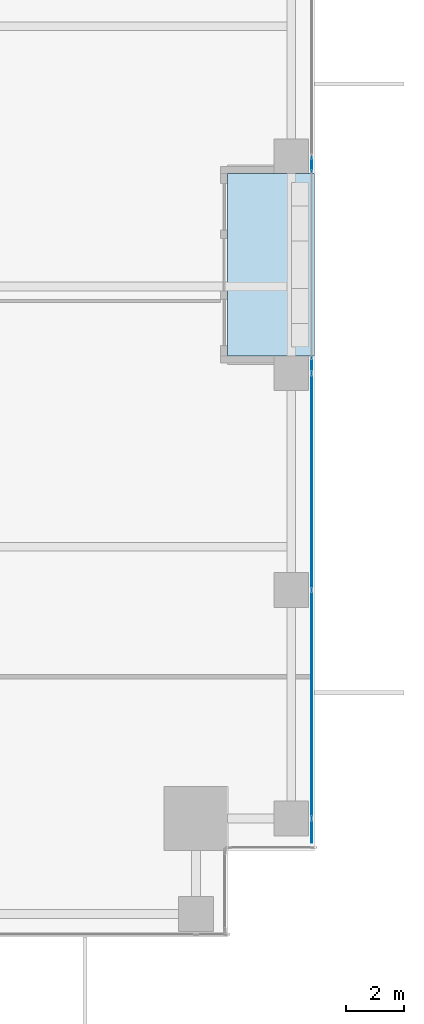
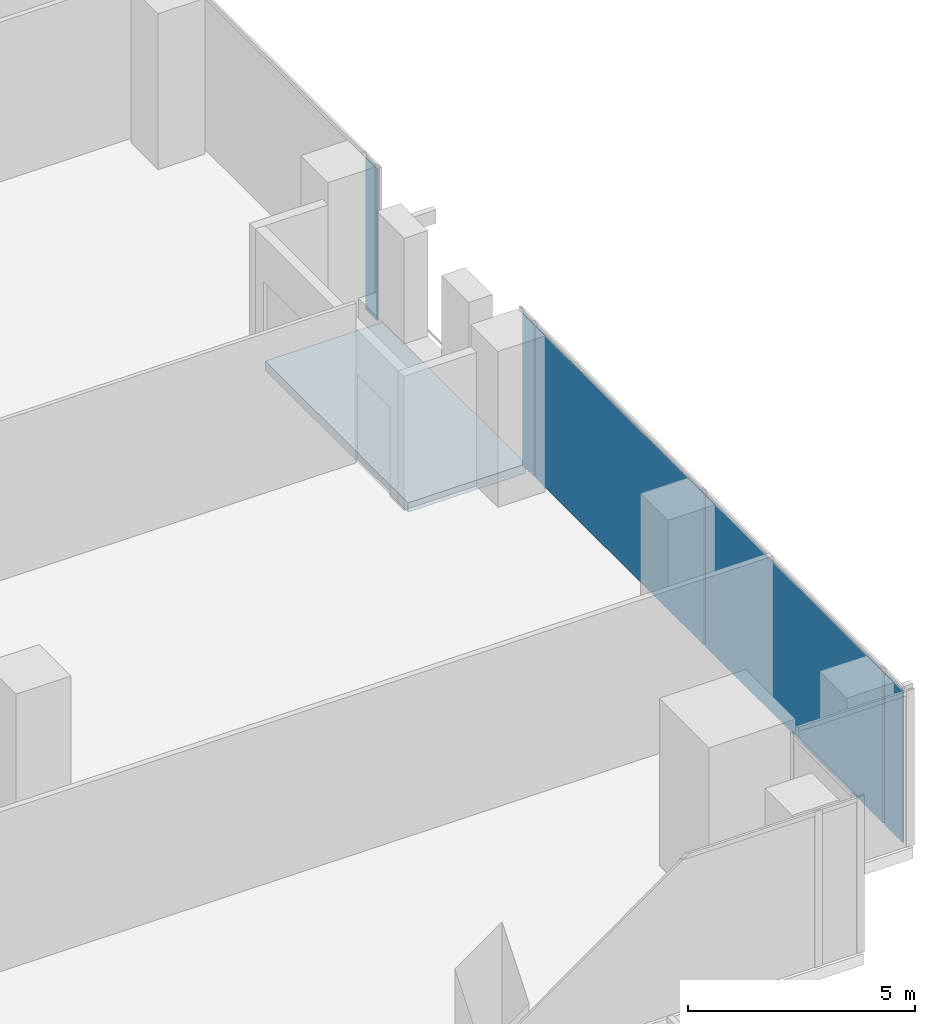
# One storey, part 24 of 33: 5 plates, 1 slab, 2 elements without a shape of their own.
"""IFC4 building model written with IfcOpenShell, lengths in metres."""

import ifcopenshell
import ifcopenshell.guid

model = None  # the IFC model being written
_history = None  # IfcOwnerHistory: only IFC2X3 demands one
_inside = {}  # id of a spatial element -> (the spatial element, [elements in it])
_under = {}  # id of a project, library or spatial element -> (it, [spatial elements below it])
_declared = {}  # id of a project -> (the project, [libraries it declares])
_typed = {}  # id of a type object -> (the type object, [elements of that type])
_made_of = {}  # id of a material, layer set ... -> (it, [elements and type objects made of it])


def new_model(schema):
    """Start an empty IFC model of exactly this schema.

    Asked for "IFC4X3", IfcOpenShell would pick the latest addendum, in which some entities
    have other attributes; the version numbers below select the first issue.
    IFC2X3 requires an IfcOwnerHistory on every rooted entity: one is made here for all.
    """
    global model, _history
    if schema == "IFC4X3":
        model = ifcopenshell.file(schema_version=(4, 3, 0, 0))
    else:
        model = ifcopenshell.file(schema=schema)
    _inside.clear()
    _under.clear()
    _declared.clear()
    _typed.clear()
    _made_of.clear()
    _history = None
    if model.schema == "IFC2X3":
        org = make("IfcOrganization", Name="unknown")
        user = make(
            "IfcPersonAndOrganization",
            ThePerson=make("IfcPerson", FamilyName="unknown"),
            TheOrganization=org,
        )
        app = make(
            "IfcApplication",
            ApplicationDeveloper=org,
            Version="unknown",
            ApplicationFullName="unknown",
            ApplicationIdentifier="unknown",
        )
        _history = make(
            "IfcOwnerHistory",
            OwningUser=user,
            OwningApplication=app,
            ChangeAction="ADDED",
            CreationDate=0,
        )
    return model


def make(cls, **values):
    """One entity of the class cls with the attributes given. An attribute that is None is left unset."""
    return model.create_entity(
        cls, **{name: value for name, value in values.items() if value is not None}
    )


def rooted(cls, **values):
    """An entity with a GlobalId (a new one), such as an element, a storey or a relation."""
    return make(cls, GlobalId=ifcopenshell.guid.new(), OwnerHistory=_history, **values)


def si_unit(unit_type, name, prefix=None):
    """IfcSIUnit, for example si_unit("LENGTHUNIT", "METRE", prefix="MILLI")."""
    return make("IfcSIUnit", UnitType=unit_type, Prefix=prefix, Name=name)


def assignment(units):
    """IfcUnitAssignment: the units of a project."""
    return None if units is None else make("IfcUnitAssignment", Units=units)


def point(xyz):
    """IfcCartesianPoint."""
    return None if xyz is None else make("IfcCartesianPoint", Coordinates=xyz)


def direction(xyz):
    """IfcDirection."""
    return None if xyz is None else make("IfcDirection", DirectionRatios=xyz)


def frame(location, z_axis=None, x_axis=None):
    """IfcAxis2Placement3D, a coordinate frame: its origin and axes. An axis left out is left unset."""
    return make(
        "IfcAxis2Placement3D",
        Location=point(location),
        Axis=direction(z_axis),
        RefDirection=direction(x_axis),
    )


def frame_2d(location, x_axis=None):
    """IfcAxis2Placement2D, a coordinate frame in the plane: its origin and x axis."""
    return make(
        "IfcAxis2Placement2D", Location=point(location), RefDirection=direction(x_axis)
    )


def origin():
    """The frame at (0, 0, 0) with its axes left unset."""
    return frame((0.0, 0.0, 0.0))


def origin_2d():
    """The frame at (0, 0) in the plane with its x axis left unset."""
    return frame_2d((0.0, 0.0))


def place(relative_to, where):
    """IfcLocalPlacement: puts the frame where relative to a parent placement (None: the world)."""
    return make(
        "IfcLocalPlacement", PlacementRelTo=relative_to, RelativePlacement=where
    )


def context(
    kind, dimensions, precision=None, world=None, true_north=None, identifier=None
):
    """IfcGeometricRepresentationContext, for example the 3D "Model" context."""
    return make(
        "IfcGeometricRepresentationContext",
        ContextIdentifier=identifier,
        ContextType=kind,
        CoordinateSpaceDimension=dimensions,
        Precision=precision,
        WorldCoordinateSystem=world,
        TrueNorth=true_north,
    )


def subcontext(parent, identifier, kind, view, scale=None):
    """IfcGeometricRepresentationSubContext, for example "Body" below "Model"."""
    return make(
        "IfcGeometricRepresentationSubContext",
        ContextIdentifier=identifier,
        ContextType=kind,
        ParentContext=parent,
        TargetScale=scale,
        TargetView=view,
    )


def project(units=None, contexts=None):
    """IfcProject with its units and contexts."""
    return rooted(
        "IfcProject",
        Name="project",
        RepresentationContexts=contexts,
        UnitsInContext=assignment(units),
    )


def spatial(cls, under=None, at=None, **own):
    """A site, building, storey or space (cls), placed at a placement, below another one or the project."""
    s = rooted(cls, ObjectPlacement=at, **own)
    if under is not None:
        _under.setdefault(under.id(), (under, []))[1].append(s)
    return s


def polyline(points):
    """IfcPolyline through the points."""
    return make("IfcPolyline", Points=[point(p) for p in points])


def profile(cls, at=None, kind="AREA", **sizes):
    """A parametric profile (cls). Its sizes go by their IFC names, for example OverallWidth=200.0."""
    return make(cls, ProfileType=kind, Position=at, **sizes)


def rectangle(**sizes):
    """IfcRectangleProfileDef."""
    return profile("IfcRectangleProfileDef", **sizes)


def outline(outer, holes=None, kind="AREA"):
    """IfcArbitraryClosedProfileDef: a profile drawn as a closed curve; with holes, ...WithVoids."""
    if holes is None:
        return make("IfcArbitraryClosedProfileDef", ProfileType=kind, OuterCurve=outer)
    return make(
        "IfcArbitraryProfileDefWithVoids",
        ProfileType=kind,
        OuterCurve=outer,
        InnerCurves=holes,
    )


def extrude(swept, where, along, depth):
    """IfcExtrudedAreaSolid: the profile swept, set in the frame where, extruded along a direction by depth."""
    return make(
        "IfcExtrudedAreaSolid",
        SweptArea=swept,
        Position=where,
        ExtrudedDirection=direction(along),
        Depth=depth,
    )


def shape(context_of_items, identifier, shape_type, items):
    """IfcShapeRepresentation: the items that make up one representation, for example the "Body"."""
    return make(
        "IfcShapeRepresentation",
        ContextOfItems=context_of_items,
        RepresentationIdentifier=identifier,
        RepresentationType=shape_type,
        Items=items,
    )


def source(mapping_origin, context_of_items, identifier, shape_type, items):
    """IfcRepresentationMap: a shape defined once, which mapped items show again and again."""
    return make(
        "IfcRepresentationMap",
        MappingOrigin=mapping_origin,
        MappedRepresentation=shape(context_of_items, identifier, shape_type, items),
    )


def transform(
    local_origin,
    x_axis=None,
    y_axis=None,
    z_axis=None,
    scale=None,
    scale2=None,
    scale3=None,
    uniform=True,
):
    """IfcCartesianTransformationOperator3D, or its non-uniform kind. x_axis, y_axis, z_axis: its Axis1, 2, 3."""
    if uniform:
        return make(
            "IfcCartesianTransformationOperator3D",
            Axis1=direction(x_axis),
            Axis2=direction(y_axis),
            LocalOrigin=point(local_origin),
            Scale=scale,
            Axis3=direction(z_axis),
        )
    return make(
        "IfcCartesianTransformationOperator3DnonUniform",
        Axis1=direction(x_axis),
        Axis2=direction(y_axis),
        LocalOrigin=point(local_origin),
        Scale=scale,
        Axis3=direction(z_axis),
        Scale2=scale2,
        Scale3=scale3,
    )


def mapped(mapping_source, mapping_target):
    """IfcMappedItem: shows the shape of a source again, moved by a transform."""
    return make(
        "IfcMappedItem", MappingSource=mapping_source, MappingTarget=mapping_target
    )


def material(Name=None, Category=None):
    """IfcMaterial."""
    return make("IfcMaterial", Name=Name, Category=Category)


def layer(
    of_material, thickness, ventilated=None, Name=None, Category=None, Priority=None
):
    """IfcMaterialLayer: one layer of a wall or slab, of a material (None: an air gap)."""
    return make(
        "IfcMaterialLayer",
        Material=of_material,
        LayerThickness=thickness,
        IsVentilated=ventilated,
        Name=Name,
        Category=Category,
        Priority=Priority,
    )


def layer_set(layers, Name=None):
    """IfcMaterialLayerSet."""
    return make("IfcMaterialLayerSet", MaterialLayers=layers, LayerSetName=Name)


def made_of(thing, what):
    """Note that an element or type object is made of a material, layer set ...; save() writes the relation."""
    if what is not None:
        _made_of.setdefault(what.id(), (what, []))[1].append(thing)
    return thing


def type_object(cls, material=None, **own):
    """A type object (cls), such as IfcWallType, which elements share."""
    return made_of(rooted(cls, **own), material)


def element(
    cls,
    number,
    at=None,
    inside=None,
    cuts=None,
    type_object=None,
    material=None,
    context=None,
    identifier="Body",
    shape_type=None,
    held_by="IfcProductDefinitionShape",
    body=None,
    shapes=None,
    **own,
):
    """One element of the class cls, such as IfcWall. Its Tag is "e" and its number.

    at: its placement. inside: the storey or other place that contains it. cuts: it is an
    opening in that element (IfcRelVoidsElement). A single representation is given by context,
    identifier, shape_type and body (its items); several are given by shapes. held_by: the class
    of the entity that holds the representations. save() writes the other relations.
    """
    e = rooted(cls, Tag="e%d" % number, ObjectPlacement=at, **own)
    if body is not None:
        shapes = [shape(context, identifier, shape_type, body)]
    if shapes is not None:
        e.Representation = make(held_by, Representations=shapes)
    if inside is not None:
        _inside.setdefault(inside.id(), (inside, []))[1].append(e)
    if cuts is not None:
        rooted(
            "IfcRelVoidsElement", RelatingBuildingElement=cuts, RelatedOpeningElement=e
        )
    if type_object is not None:
        _typed.setdefault(type_object.id(), (type_object, []))[1].append(e)
    return made_of(e, material)


def aggregate(whole, parts):
    """IfcRelAggregates: a whole, such as a stair, and the parts it consists of."""
    return rooted("IfcRelAggregates", RelatingObject=whole, RelatedObjects=parts)


def save(model, path):
    """Write the relations noted so far, then the file.

    IfcRelAggregates (storeys below a building ...), IfcRelContainedInSpatialStructure (elements
    in a storey), IfcRelDefinesByType, IfcRelAssociatesMaterial and IfcRelDeclares: one each for
    every whole, place, type object, material and project.
    """
    for whole, parts in _under.values():
        aggregate(whole, parts)
    for where, things in _inside.values():
        rooted(
            "IfcRelContainedInSpatialStructure",
            RelatedElements=things,
            RelatingStructure=where,
        )
    for kind, things in _typed.values():
        rooted("IfcRelDefinesByType", RelatedObjects=things, RelatingType=kind)
    for what, things in _made_of.values():
        rooted("IfcRelAssociatesMaterial", RelatedObjects=things, RelatingMaterial=what)
    for by, libraries in _declared.values():
        rooted("IfcRelDeclares", RelatingContext=by, RelatedDefinitions=libraries)
    model.write(path)


model = new_model("IFC4")

# Units and contexts
model_context = context("Model", 3, precision=1e-05, world=origin(), true_north=direction((0.0, 1.0)))
body_context = subcontext(model_context, "Body", "Model", "MODEL_VIEW")
ifc_project = project(units=[si_unit("LENGTHUNIT", "METRE"), si_unit("AREAUNIT", "SQUARE_METRE"), si_unit("VOLUMEUNIT", "CUBIC_METRE"), si_unit("PLANEANGLEUNIT", "RADIAN"), si_unit("MASSUNIT", "GRAM", prefix="KILO")], contexts=[model_context])

# Site, building, storey
site_placement = place(None, origin())
site = spatial("IfcSite", under=ifc_project, at=site_placement, CompositionType="ELEMENT")
building_placement = place(site_placement, origin())
building = spatial("IfcBuilding", under=site, at=building_placement, Name="Khomas Fold Tower", CompositionType="ELEMENT")
storey_placement = place(building_placement, frame((0.0, 0.0, 82.5)))
storey = spatial("IfcBuildingStorey", under=building, at=storey_placement, Name="L17", CompositionType="ELEMENT", Elevation=82.5)

# Curtain wall, plates
ifc_material_1 = material(Name="Aluminium framed double glazing", Category="aluminium")
curtain_wall_type = type_object("IfcCurtainWallType", Name="SK-Unitised clear-glass wall, growing floors CW1", PredefinedType="NOTDEFINED", material=ifc_material_1)
curtain_wall_1_placement = place(storey_placement, origin())
curtain_wall_1 = element("IfcCurtainWall", 1, at=curtain_wall_1_placement, inside=storey, type_object=curtain_wall_type, Name="CW1 run L17 03-0", PredefinedType="NOTDEFINED")
ifc_material_2 = material(Name="Clear double glazed unit")
ifc_layer_1 = layer(ifc_material_2, 0.031982421875)
ifc_layer_set_1 = layer_set([ifc_layer_1], Name="Clear double glazed unit")
plate_type = type_object("IfcPlateType", Name="SK-Unitised clear-glass wall, growing floors glass panel CW1-P", PredefinedType="CURTAIN_PANEL", material=ifc_layer_set_1)
shared_shape_1 = source(origin(), body_context, "Body", "SweptSolid", [
    extrude(rectangle(XDim=0.81005859375, YDim=0.031982421875, at=origin_2d()), origin(), (0.0, 0.0, 1.0), 4.080078125),
])
plate_1_placement = place(storey_placement, frame((53.89990234375, 3.6650390625, 0.0), z_axis=(0.0, 0.0, 1.0), x_axis=(0.0, 1.0, 0.0)))
plate_1 = element("IfcPlate", 2, at=plate_1_placement, type_object=plate_type, Name="CW1 glass panel 1", PredefinedType="CURTAIN_PANEL", context=body_context, shape_type="MappedRepresentation", body=[
    mapped(shared_shape_1, transform((0.0, 0.0, 0.0))),
])
shared_shape_2 = source(origin(), body_context, "Body", "SweptSolid", [
    extrude(rectangle(XDim=7.840087890625, YDim=0.031982421875, at=origin_2d()), origin(), (0.0, 0.0, 1.0), 4.080078125),
])
plate_2_placement = place(storey_placement, frame((53.89990234375, 8.050048828125, 0.0), z_axis=(0.0, 0.0, 1.0), x_axis=(0.0, 1.0, 0.0)))
plate_2 = element("IfcPlate", 3, at=plate_2_placement, type_object=plate_type, Name="CW1 glass panel 2", PredefinedType="CURTAIN_PANEL", context=body_context, shape_type="MappedRepresentation", body=[
    mapped(shared_shape_2, transform((0.0, 0.0, 0.0))),
])
shared_shape_3 = source(origin(), body_context, "Body", "SweptSolid", [
    extrude(rectangle(XDim=7.43994140625, YDim=0.031982421875, at=origin_2d()), origin(), (0.0, 0.0, 1.0), 4.080078125),
])
plate_3_placement = place(storey_placement, frame((53.89990234375, 15.75, 0.0), z_axis=(0.0, 0.0, 1.0), x_axis=(0.0, 1.0, 0.0)))
plate_3 = element("IfcPlate", 4, at=plate_3_placement, type_object=plate_type, Name="CW1 glass panel 3", PredefinedType="CURTAIN_PANEL", context=body_context, shape_type="MappedRepresentation", body=[
    mapped(shared_shape_3, transform((0.0, 0.0, 0.0))),
])
shared_shape_4 = source(origin(), body_context, "Body", "SweptSolid", [
    extrude(rectangle(XDim=0.510009765625, YDim=0.031982421875, at=origin_2d()), origin(), (0.0, 0.0, 1.0), 4.080078125),
])
plate_4_placement = place(storey_placement, frame((53.89990234375, 19.784912109375, 0.0), z_axis=(0.0, 0.0, 1.0), x_axis=(0.0, 1.0, 0.0)))
plate_4 = element("IfcPlate", 5, at=plate_4_placement, type_object=plate_type, Name="CW1 glass panel 4", PredefinedType="CURTAIN_PANEL", context=body_context, shape_type="MappedRepresentation", body=[
    mapped(shared_shape_4, transform((0.0, 0.0, 0.0))),
])
aggregate(curtain_wall_1, [plate_1, plate_2, plate_3, plate_4])

# Curtain wall, plate
curtain_wall_2_placement = place(storey_placement, origin())
curtain_wall_2 = element("IfcCurtainWall", 6, at=curtain_wall_2_placement, inside=storey, type_object=curtain_wall_type, Name="CW1 run L17 03-1", PredefinedType="NOTDEFINED")
plate_5_placement = place(storey_placement, frame((53.89990234375, 26.715087890625, 0.0), z_axis=(0.0, 0.0, 1.0), x_axis=(0.0, 1.0, 0.0)))
plate_5 = element("IfcPlate", 7, at=plate_5_placement, type_object=plate_type, Name="CW1 glass panel 1", PredefinedType="CURTAIN_PANEL", context=body_context, shape_type="MappedRepresentation", body=[
    mapped(shared_shape_4, transform((0.0, 0.0, 0.0))),
])
aggregate(curtain_wall_2, [plate_5])

# Slab
ifc_material_3 = material(Name="Concrete C40/50", Category="concrete")
ifc_layer_2 = layer(ifc_material_3, 0.2548828125)
ifc_layer_set_2 = layer_set([ifc_layer_2], Name="Concrete C40/50")
slab_type = type_object("IfcSlabType", Name="BL-Balcony deck 255", PredefinedType="FLOOR", material=ifc_layer_set_2)
shared_shape_5 = source(origin(), body_context, "Body", "SweptSolid", [
    extrude(outline(polyline([(51.0, 20.10009765625), (54.0, 20.10009765625), (54.0, 26.39990234375), (51.0, 26.39990234375), (51.0, 20.10009765625)])), origin(), (0.0, 0.0, 1.0), 0.255126953125),
])
slab_placement = place(storey_placement, frame((0.0, 0.0, -0.300048828125)))
element("IfcSlab", 8, at=slab_placement, inside=storey, type_object=slab_type, Name="Balcony deck BAL-L17-E2", PredefinedType="FLOOR", context=body_context, shape_type="MappedRepresentation", body=[
    mapped(shared_shape_5, transform((0.0, 0.0, 0.0))),
])

save(model, "model.ifc")
